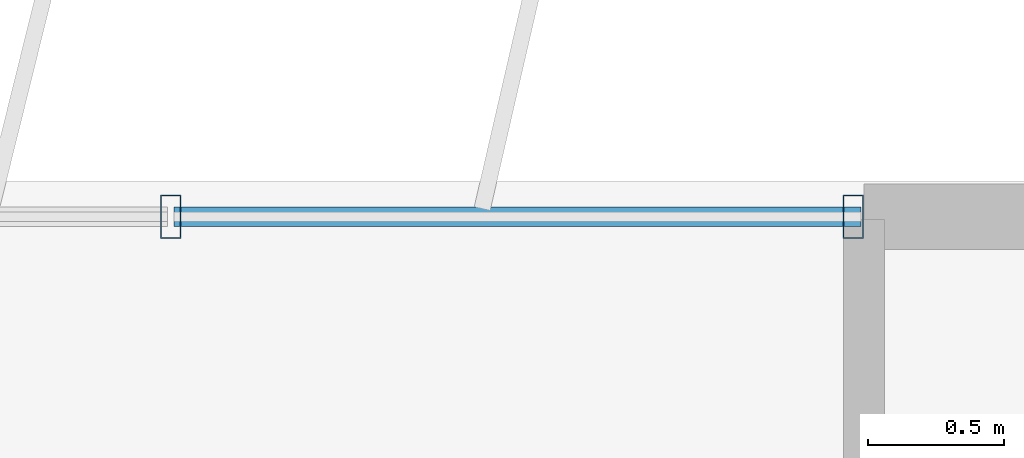
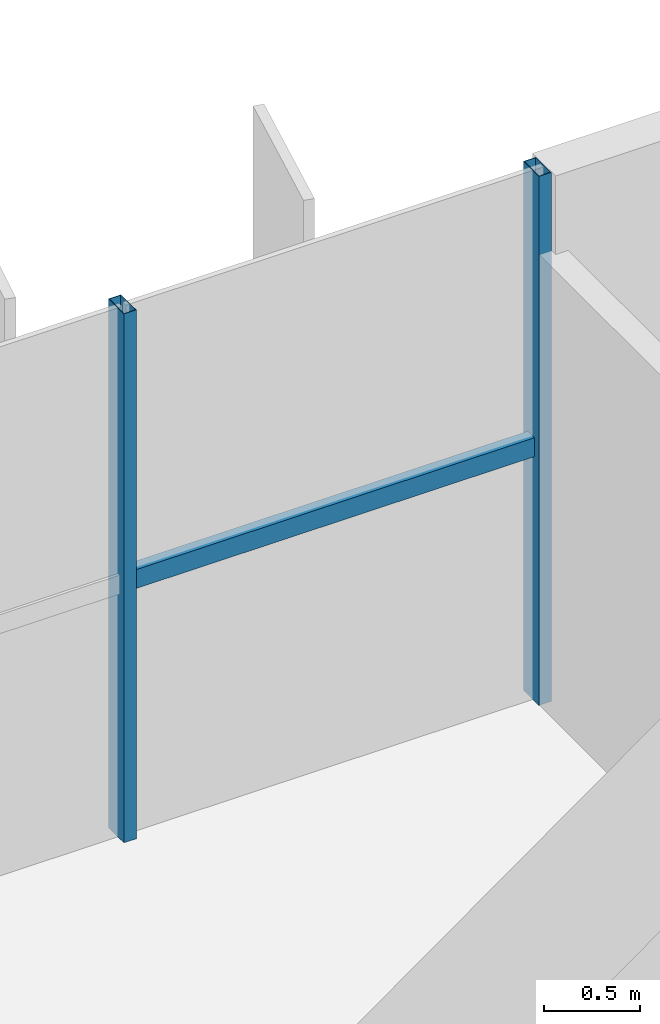
# One storey, part 14 of 22: 3 members, 1 element without a shape of its own.
"""IFC4 building model written with IfcOpenShell, lengths in metres."""

from ifc_helpers import new_model, si_unit, direction, frame, origin, origin_2d, place, context, subcontext, project, spatial, hollow_rectangle, extrude, source, transform, mapped, material, material_profile, profile_set, type_object, element, aggregate, save


model = new_model("IFC4")

# Units and contexts
model_context = context("Model", 3, precision=1e-05, world=origin(), true_north=direction((0.0, 1.0)))
body_context = subcontext(model_context, "Body", "Model", "MODEL_VIEW")
ifc_project = project(units=[si_unit("LENGTHUNIT", "METRE"), si_unit("AREAUNIT", "SQUARE_METRE"), si_unit("VOLUMEUNIT", "CUBIC_METRE"), si_unit("PLANEANGLEUNIT", "RADIAN"), si_unit("MASSUNIT", "GRAM", prefix="KILO")], contexts=[model_context])

# Site, building, storey
site_placement = place(None, origin())
site = spatial("IfcSite", under=ifc_project, at=site_placement, CompositionType="ELEMENT")
building_placement = place(site_placement, origin())
building = spatial("IfcBuilding", under=site, at=building_placement, Name="Trelvane Seafront Commons", CompositionType="ELEMENT")
storey_placement = place(building_placement, frame((0.0, 0.0, 273.89990234375)))
storey = spatial("IfcBuildingStorey", under=building, at=storey_placement, Name="L71", CompositionType="ELEMENT", Elevation=273.89990234375)

# Curtain wall, members
ifc_material = material(Name="Anodised pale-silver aluminium", Category="aluminium")
curtain_wall_type = type_object("IfcCurtainWallType", Name="ARCH-CW5-UPTOWER", PredefinedType="NOTDEFINED", material=ifc_material)
curtain_wall_placement = place(storey_placement, origin())
curtain_wall = element("IfcCurtainWall", 1, at=curtain_wall_placement, inside=storey, type_object=curtain_wall_type, Name="CW-L71-0115", PredefinedType="NOTDEFINED")
ifc_material_profile_1 = material_profile(ifc_material, hollow_rectangle(XDim=0.070068359375, YDim=0.1201171875, WallThickness=0.00390625, at=origin_2d()), Name="TRAN-70x120x4")
ifc_profile_set_1 = profile_set([ifc_material_profile_1], Name="Anodised pale-silver aluminium")
member_type_1 = type_object("IfcMemberType", Name="ARCH-CW-TRAN-120", PredefinedType="USERDEFINED", material=ifc_profile_set_1)
shared_shape_1 = source(origin(), body_context, "Body", "SweptSolid", [
    extrude(hollow_rectangle(XDim=0.070068359375, YDim=0.1201171875, WallThickness=0.00390625, at=origin_2d()), origin(), (0.0, 0.0, 1.0), 2.517333984375),
])
member_1_placement = place(storey_placement, frame((56.270751953125, 48.3701171875, 1.6181640625), z_axis=(1.0, 0.0, 0.0), x_axis=(0.0, 1.0, 0.0)))
member_1 = element("IfcMember", 2, at=member_1_placement, type_object=member_type_1, Name="CW-L71-0115-T16", ObjectType="TRANSOM", PredefinedType="USERDEFINED", context=body_context, shape_type="MappedRepresentation", body=[
    mapped(shared_shape_1, transform((0.0, 0.0, 0.0), x_axis=(1.0, 0.0, 0.0), y_axis=(0.0, 1.0, 0.0), z_axis=(0.0, 0.0, 1.0), scale=1.0)),
])
ifc_material_profile_2 = material_profile(ifc_material, hollow_rectangle(XDim=0.074951171875, YDim=0.159912109375, WallThickness=0.00390625, at=origin_2d()), Name="MULL-75x160x4")
ifc_profile_set_2 = profile_set([ifc_material_profile_2], Name="Anodised pale-silver aluminium")
member_type_2 = type_object("IfcMemberType", Name="ARCH-CW-MULL-160", PredefinedType="MULLION", material=ifc_profile_set_2)
shared_shape_2 = source(origin(), body_context, "Body", "SweptSolid", [
    extrude(hollow_rectangle(XDim=0.074951171875, YDim=0.159912109375, WallThickness=0.00390625, at=origin_2d()), origin(), (0.0, 0.0, 1.0), 3.3701171875),
])
member_2_placement = place(storey_placement, frame((56.2587890625, 48.3701171875, 0.0), z_axis=(0.0, 0.0, 1.0), x_axis=(1.0, 0.0, 0.0)))
member_2 = element("IfcMember", 3, at=member_2_placement, type_object=member_type_2, Name="CW-L71-0115-M16", PredefinedType="MULLION", context=body_context, shape_type="MappedRepresentation", body=[
    mapped(shared_shape_2, transform((0.0, 0.0, 0.0), x_axis=(1.0, 0.0, 0.0), y_axis=(0.0, 1.0, 0.0), z_axis=(0.0, 0.0, 1.0), scale=1.0)),
])
member_3_placement = place(storey_placement, frame((58.760009765625, 48.3701171875, 0.0), z_axis=(0.0, 0.0, 1.0), x_axis=(1.0, 0.0, 0.0)))
member_3 = element("IfcMember", 4, at=member_3_placement, type_object=member_type_2, Name="CW-L71-0115-M17", PredefinedType="MULLION", context=body_context, shape_type="MappedRepresentation", body=[
    mapped(shared_shape_2, transform((0.0, 0.0, 0.0), x_axis=(1.0, 0.0, 0.0), y_axis=(0.0, 1.0, 0.0), z_axis=(0.0, 0.0, 1.0), scale=1.0)),
])
aggregate(curtain_wall, [member_2, member_3, member_1])

save(model, "model.ifc")
